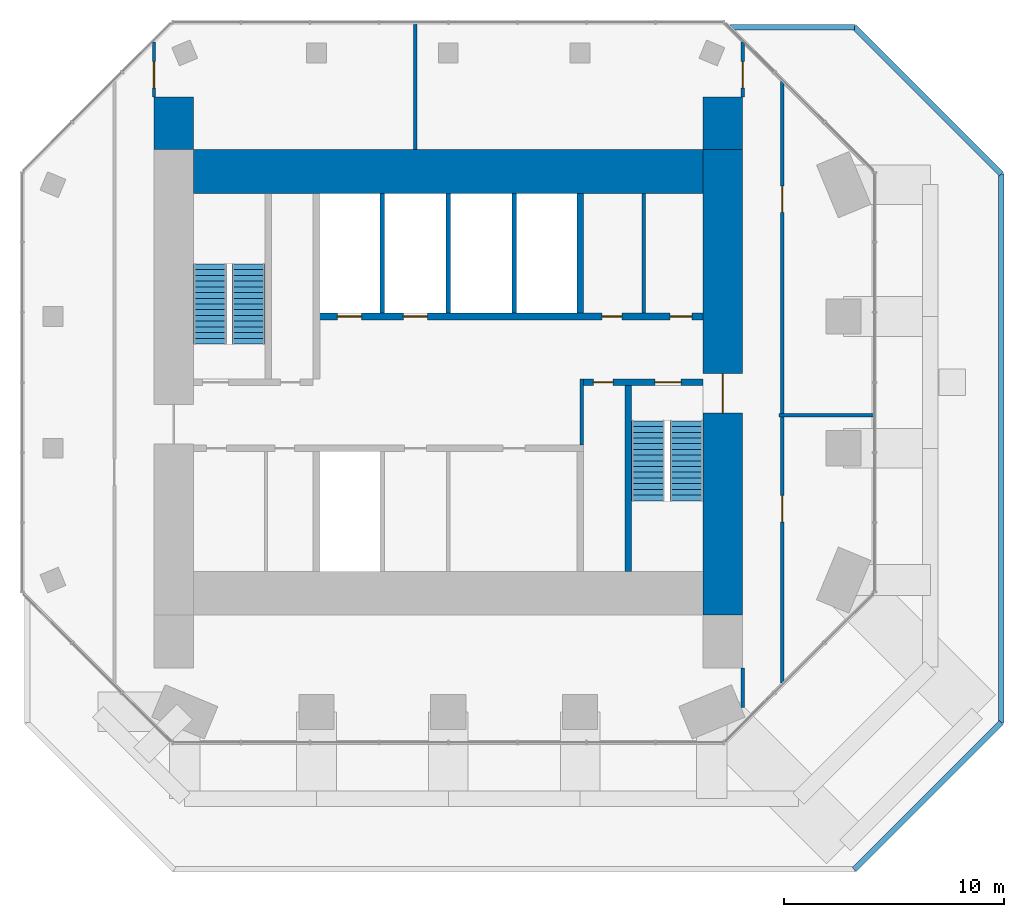
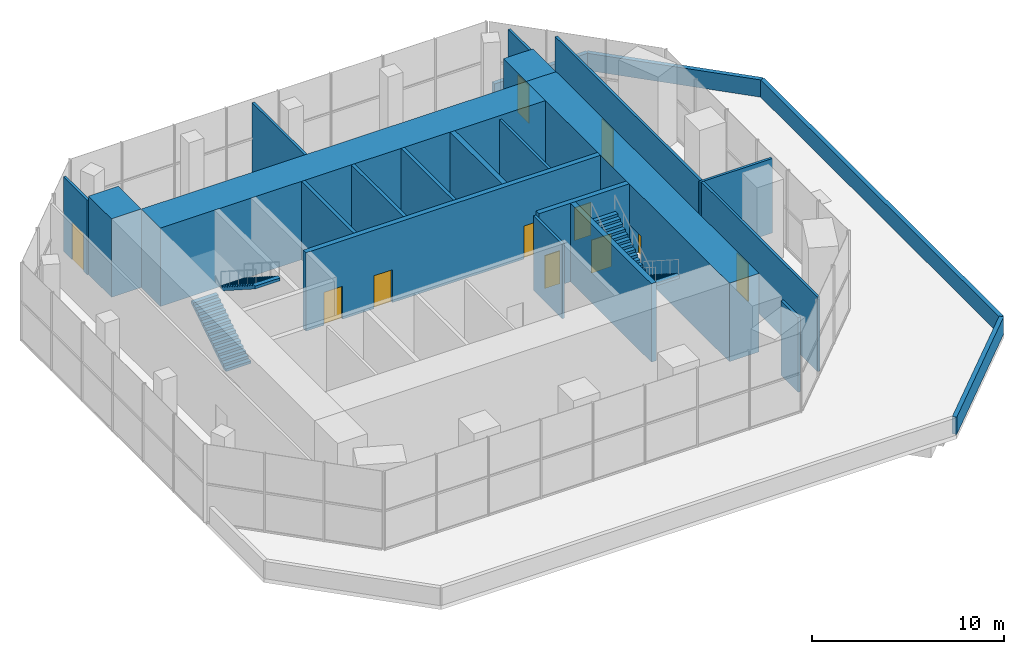
# One storey, part 8 of 9: 24 walls, 11 doors, 4 stair flights, 11 openings, 2 elements without a shape of their own.
"""IFC4 building model written with IfcOpenShell, lengths in metres."""

from ifc_helpers import new_model, si_unit, direction, frame, frame_2d, origin, place, context, subcontext, project, spatial, polyline, rectangle, outline, extrude, material, layer, layer_set, type_object, element, fill, aggregate, save


model = new_model("IFC4")

# Units and contexts
model_context = context("Model", 3, precision=1e-05, world=origin(), true_north=direction((0.0, 1.0)))
body_context = subcontext(model_context, "Body", "Model", "MODEL_VIEW")
ifc_project = project(units=[si_unit("LENGTHUNIT", "METRE"), si_unit("AREAUNIT", "SQUARE_METRE"), si_unit("VOLUMEUNIT", "CUBIC_METRE"), si_unit("PLANEANGLEUNIT", "RADIAN"), si_unit("MASSUNIT", "GRAM", prefix="KILO")], contexts=[model_context])

# Site, building, storey
site_placement = place(None, origin())
site = spatial("IfcSite", under=ifc_project, at=site_placement, CompositionType="ELEMENT")
building_placement = place(site_placement, origin())
building = spatial("IfcBuilding", under=site, at=building_placement, Name="Highveld Stack Headquarters", CompositionType="ELEMENT")
storey_placement = place(building_placement, frame((0.0, 0.0, 295.699951171875)))
storey = spatial("IfcBuildingStorey", under=building, at=storey_placement, Name="L73", CompositionType="ELEMENT", Elevation=295.699951171875)

# Wall, opening, door
ifc_material_1 = material(Name="Concrete C60/75", Category="concrete")
ifc_layer_1 = layer(ifc_material_1, 1.800048828125)
ifc_layer_set_1 = layer_set([ifc_layer_1], Name="Concrete C60/75")
wall_type_1 = type_object("IfcWallType", Name="CORE WALL 1800 C60/75", PredefinedType="SHEAR", material=ifc_layer_set_1)
wall_1_placement = place(storey_placement, frame((18.5, -7.60009765625, 0.0), z_axis=(0.0, 0.0, 1.0), x_axis=(0.0, 1.0, 0.0)))
wall_1 = element("IfcWall", 1, at=wall_1_placement, inside=storey, type_object=wall_type_1, Name="Core wall E L73", PredefinedType="SHEAR", context=body_context, shape_type="SweptSolid", body=[
    extrude(rectangle(XDim=21.2001953125, YDim=1.800048828125, at=frame_2d((10.60009765625, 0.0))), origin(), (0.0, 0.0, 1.0), 5.0),
])
opening_1_placement = place(wall_1_placement, frame((9.199951171875, 0.0, 0.0)))
opening_1 = element("IfcOpeningElement", 2, at=opening_1_placement, cuts=wall_1, Name="Opening L73-02", PredefinedType="OPENING", context=body_context, shape_type="SweptSolid", body=[
    extrude(rectangle(XDim=1.800048828125, YDim=2.39990234375, at=frame_2d((0.89990234375, 1.199951171875))), frame((0.0, 0.909912109375, 0.0), z_axis=(0.0, -1.0, 0.0), x_axis=(1.0, 0.0, 0.0)), (0.0, 0.0, 1.0), 1.820068359375),
])
ifc_material_2 = material(Name="Steel fire door", Category="steel")
door_type_1 = type_object("IfcDoorType", Name="LOBBY FIRE DOOR D4 1800x2400", OperationType="DOUBLE_DOOR_SINGLE_SWING", PredefinedType="DOOR", material=ifc_material_2)
door_1_placement = place(opening_1_placement, origin())
door_1 = element("IfcDoor", 3, at=door_1_placement, inside=storey, type_object=door_type_1, Name="Core east door L73", OperationType="DOUBLE_DOOR_SINGLE_SWING", OverallHeight=2.39990234375, OverallWidth=1.800048828125, PredefinedType="DOOR", context=body_context, shape_type="SweptSolid", body=[
    extrude(rectangle(XDim=1.800048828125, YDim=2.39990234375, at=frame_2d((0.89990234375, 1.199951171875))), frame((0.0, 0.02490234375, 0.0), z_axis=(0.0, -1.0, 0.0), x_axis=(1.0, 0.0, 0.0)), (0.0, 0.0, 1.0), 0.050048828125),
])
fill(opening_1, door_1)

# Wall
ifc_material_3 = material(Name="Concrete C60/75", Category="concrete")
ifc_layer_2 = layer(ifc_material_3, 2.0)
ifc_layer_set_2 = layer_set([ifc_layer_2], Name="Concrete C60/75")
wall_type_2 = type_object("IfcWallType", Name="CORE WALL 2000 C60/75", PredefinedType="SHEAR", material=ifc_layer_set_2)
wall_2_placement = place(storey_placement, frame((-5.60009765625, 12.60009765625, 0.0), z_axis=(0.0, 0.0, 1.0), x_axis=(1.0, 0.0, 0.0)))
element("IfcWall", 4, at=wall_2_placement, inside=storey, type_object=wall_type_2, Name="Core wall N L73", PredefinedType="SHEAR", context=body_context, shape_type="SweptSolid", body=[
    extrude(rectangle(XDim=23.2001953125, YDim=2.0, at=frame_2d((11.60009765625, 0.0))), origin(), (0.0, 0.0, 1.0), 5.0),
])

# Wall, openings, doors
ifc_material_4 = material(Name="Concrete C60/75", Category="concrete")
ifc_layer_3 = layer(ifc_material_4, 0.300048828125)
ifc_layer_set_3 = layer_set([ifc_layer_3], Name="Concrete C60/75")
wall_type_3 = type_object("IfcWallType", Name="CORE WALL 300 C60/75", PredefinedType="SHEAR", material=ifc_layer_set_3)
wall_3_placement = place(storey_placement, frame((12.14990234375, 3.0, 0.0), z_axis=(0.0, 0.0, 1.0), x_axis=(1.0, 0.0, 0.0)))
wall_3 = element("IfcWall", 5, at=wall_3_placement, inside=storey, type_object=wall_type_3, Name="Core wall I-Y3E L73", PredefinedType="SHEAR", context=body_context, shape_type="SweptSolid", body=[
    extrude(rectangle(XDim=5.4501953125, YDim=0.300048828125, at=frame_2d((2.72509765625, 0.0))), origin(), (0.0, 0.0, 1.0), 5.0),
])
opening_2_placement = place(wall_3_placement, frame((3.25, 0.0, 0.0)))
opening_2 = element("IfcOpeningElement", 6, at=opening_2_placement, cuts=wall_3, Name="Opening L73-05", PredefinedType="OPENING", context=body_context, shape_type="SweptSolid", body=[
    extrude(rectangle(XDim=1.199951171875, YDim=2.10009765625, at=frame_2d((0.60009765625, 1.050048828125))), frame((0.0, 0.159912109375, 0.0), z_axis=(0.0, -1.0, 0.0), x_axis=(1.0, 0.0, 0.0)), (0.0, 0.0, 1.0), 0.320068359375),
])
opening_3_placement = place(wall_3_placement, frame((0.449951171875, 0.0, 0.0)))
opening_3 = element("IfcOpeningElement", 7, at=opening_3_placement, cuts=wall_3, Name="Opening L73-06", PredefinedType="OPENING", context=body_context, shape_type="SweptSolid", body=[
    extrude(rectangle(XDim=0.89990234375, YDim=2.10009765625, at=frame_2d((0.449951171875, 1.050048828125))), frame((0.0, 0.159912109375, 0.0), z_axis=(0.0, -1.0, 0.0), x_axis=(1.0, 0.0, 0.0)), (0.0, 0.0, 1.0), 0.320068359375),
])
ifc_material_5 = material(Name="Steel fire door", Category="steel")
door_type_2 = type_object("IfcDoorType", Name="RISER ACCESS DOOR D5 900x2100", OperationType="SINGLE_SWING_LEFT", PredefinedType="DOOR", material=ifc_material_5)
door_2_placement = place(opening_3_placement, origin())
door_2 = element("IfcDoor", 8, at=door_2_placement, inside=storey, type_object=door_type_2, Name="Riser R2 door L73", OperationType="SINGLE_SWING_LEFT", OverallHeight=2.10009765625, OverallWidth=0.89990234375, PredefinedType="DOOR", context=body_context, shape_type="SweptSolid", body=[
    extrude(rectangle(XDim=0.89990234375, YDim=2.10009765625, at=frame_2d((0.449951171875, 1.050048828125))), frame((0.0, 0.02490234375, 0.0), z_axis=(0.0, -1.0, 0.0), x_axis=(1.0, 0.0, 0.0)), (0.0, 0.0, 1.0), 0.050048828125),
])
fill(opening_3, door_2)
ifc_material_6 = material(Name="Steel fire door", Category="steel")
door_type_3 = type_object("IfcDoorType", Name="STAIR FIRE DOOR D3 1200x2100", OperationType="SINGLE_SWING_LEFT", PredefinedType="DOOR", material=ifc_material_6)
door_3_placement = place(opening_2_placement, origin())
door_3 = element("IfcDoor", 9, at=door_3_placement, inside=storey, type_object=door_type_3, Name="Stair S2 door L73", OperationType="SINGLE_SWING_RIGHT", OverallHeight=2.10009765625, OverallWidth=1.199951171875, PredefinedType="DOOR", context=body_context, shape_type="SweptSolid", body=[
    extrude(rectangle(XDim=1.199951171875, YDim=2.10009765625, at=frame_2d((0.60009765625, 1.050048828125))), frame((0.0, 0.02490234375, 0.0), z_axis=(0.0, -1.0, 0.0), x_axis=(1.0, 0.0, 0.0)), (0.0, 0.0, 1.0), 0.050048828125),
])
fill(opening_2, door_3)

wall_4_placement = place(storey_placement, frame((-0.14990234375, 6.0, 0.0), z_axis=(0.0, 0.0, 1.0), x_axis=(1.0, 0.0, 0.0)))
wall_4 = element("IfcWall", 10, at=wall_4_placement, inside=storey, type_object=wall_type_3, Name="Core wall I-Y6 L73", PredefinedType="SHEAR", context=body_context, shape_type="SweptSolid", body=[
    extrude(rectangle(XDim=17.75, YDim=0.300048828125, at=frame_2d((8.875, 0.0))), origin(), (0.0, 0.0, 1.0), 5.0),
])
opening_4_placement = place(wall_4_placement, frame((13.14990234375, 0.0, 0.0)))
opening_4 = element("IfcOpeningElement", 11, at=opening_4_placement, cuts=wall_4, Name="Opening L73-09", PredefinedType="OPENING", context=body_context, shape_type="SweptSolid", body=[
    extrude(rectangle(XDim=0.89990234375, YDim=2.10009765625, at=frame_2d((0.449951171875, 1.050048828125))), frame((0.0, 0.159912109375, 0.0), z_axis=(0.0, -1.0, 0.0), x_axis=(1.0, 0.0, 0.0)), (0.0, 0.0, 1.0), 0.320068359375),
])
opening_5_placement = place(wall_4_placement, frame((16.25, 0.0, 0.0)))
opening_5 = element("IfcOpeningElement", 12, at=opening_5_placement, cuts=wall_4, Name="Opening L73-10", PredefinedType="OPENING", context=body_context, shape_type="SweptSolid", body=[
    extrude(rectangle(XDim=1.0, YDim=2.10009765625, at=frame_2d((0.5, 1.050048828125))), frame((0.0, 0.159912109375, 0.0), z_axis=(0.0, -1.0, 0.0), x_axis=(1.0, 0.0, 0.0)), (0.0, 0.0, 1.0), 0.320068359375),
])
opening_6_placement = place(wall_4_placement, frame((1.10009765625, 0.0, 0.0)))
opening_6 = element("IfcOpeningElement", 13, at=opening_6_placement, cuts=wall_4, Name="Opening LD", PredefinedType="OPENING", context=body_context, shape_type="SweptSolid", body=[
    extrude(rectangle(XDim=1.10009765625, YDim=2.10009765625, at=frame_2d((0.550048828125, 1.050048828125))), frame((0.0, 0.159912109375, 0.0), z_axis=(0.0, -1.0, 0.0), x_axis=(1.0, 0.0, 0.0)), (0.0, 0.0, 1.0), 0.320068359375),
])
opening_7_placement = place(wall_4_placement, frame((4.10009765625, 0.0, 0.0)))
opening_7 = element("IfcOpeningElement", 14, at=opening_7_placement, cuts=wall_4, Name="Opening LD", PredefinedType="OPENING", context=body_context, shape_type="SweptSolid", body=[
    extrude(rectangle(XDim=1.10009765625, YDim=2.10009765625, at=frame_2d((0.550048828125, 1.050048828125))), frame((0.0, 0.159912109375, 0.0), z_axis=(0.0, -1.0, 0.0), x_axis=(1.0, 0.0, 0.0)), (0.0, 0.0, 1.0), 0.320068359375),
])
ifc_material_7 = material(Name="Timber door, painted", Category="wood")
door_type_4 = type_object("IfcDoorType", Name="ACCESSIBLE WC DOOR D2 1000x2100", OperationType="SINGLE_SWING_RIGHT", PredefinedType="DOOR", material=ifc_material_7)
door_4_placement = place(opening_5_placement, origin())
door_4 = element("IfcDoor", 15, at=door_4_placement, inside=storey, type_object=door_type_4, Name="Accessible WC door L73", OperationType="SINGLE_SWING_RIGHT", OverallHeight=2.10009765625, OverallWidth=1.0, PredefinedType="DOOR", context=body_context, shape_type="SweptSolid", body=[
    extrude(rectangle(XDim=1.0, YDim=2.10009765625, at=frame_2d((0.5, 1.050048828125))), frame((0.0, 0.02490234375, 0.0), z_axis=(0.0, -1.0, 0.0), x_axis=(1.0, 0.0, 0.0)), (0.0, 0.0, 1.0), 0.050048828125),
])
fill(opening_5, door_4)
ifc_material_8 = material(Name="Stainless steel lift landing door", Category="steel")
door_type_5 = type_object("IfcDoorType", Name="LIFT LANDING DOOR LD 1100x2100", OperationType="DOUBLE_DOOR_SLIDING", PredefinedType="USERDEFINED", material=ifc_material_8)
door_5_placement = place(opening_6_placement, origin())
door_5 = element("IfcDoor", 16, at=door_5_placement, inside=storey, type_object=door_type_5, Name="Lift landing door FF1 L73", ObjectType="LIFT LANDING DOOR", OperationType="DOUBLE_DOOR_SLIDING", OverallHeight=2.10009765625, OverallWidth=1.10009765625, PredefinedType="USERDEFINED", context=body_context, shape_type="SweptSolid", body=[
    extrude(rectangle(XDim=1.10009765625, YDim=2.10009765625, at=frame_2d((0.550048828125, 1.050048828125))), frame((0.0, 0.02490234375, 0.0), z_axis=(0.0, -1.0, 0.0), x_axis=(1.0, 0.0, 0.0)), (0.0, 0.0, 1.0), 0.050048828125),
])
fill(opening_6, door_5)
door_6_placement = place(opening_7_placement, origin())
door_6 = element("IfcDoor", 17, at=door_6_placement, inside=storey, type_object=door_type_5, Name="Lift landing door FF2 L73", ObjectType="LIFT LANDING DOOR", OperationType="DOUBLE_DOOR_SLIDING", OverallHeight=2.10009765625, OverallWidth=1.10009765625, PredefinedType="USERDEFINED", context=body_context, shape_type="SweptSolid", body=[
    extrude(rectangle(XDim=1.10009765625, YDim=2.10009765625, at=frame_2d((0.550048828125, 1.050048828125))), frame((0.0, 0.02490234375, 0.0), z_axis=(0.0, -1.0, 0.0), x_axis=(1.0, 0.0, 0.0)), (0.0, 0.0, 1.0), 0.050048828125),
])
fill(opening_7, door_6)
ifc_material_9 = material(Name="Timber door, painted", Category="wood")
door_type_6 = type_object("IfcDoorType", Name="WC DOOR D1 900x2100", OperationType="SINGLE_SWING_LEFT", PredefinedType="DOOR", material=ifc_material_9)
door_7_placement = place(opening_4_placement, origin())
door_7 = element("IfcDoor", 18, at=door_7_placement, inside=storey, type_object=door_type_6, Name="Male WC door L73", OperationType="SINGLE_SWING_RIGHT", OverallHeight=2.10009765625, OverallWidth=0.89990234375, PredefinedType="DOOR", context=body_context, shape_type="SweptSolid", body=[
    extrude(rectangle(XDim=0.89990234375, YDim=2.10009765625, at=frame_2d((0.449951171875, 1.050048828125))), frame((0.0, 0.02490234375, 0.0), z_axis=(0.0, -1.0, 0.0), x_axis=(1.0, 0.0, 0.0)), (0.0, 0.0, 1.0), 0.050048828125),
])
fill(opening_4, door_7)

# Walls
wall_5_placement = place(storey_placement, frame((12.0, 6.14990234375, 0.0), z_axis=(0.0, 0.0, 1.0), x_axis=(0.0, 1.0, 0.0)))
element("IfcWall", 19, at=wall_5_placement, inside=storey, type_object=wall_type_3, Name="Core wall I-X12N L73", PredefinedType="SHEAR", context=body_context, shape_type="SweptSolid", body=[
    extrude(rectangle(XDim=5.4501953125, YDim=0.300048828125, at=frame_2d((2.72509765625, 0.0))), origin(), (0.0, 0.0, 1.0), 5.0),
])
wall_6_placement = place(storey_placement, frame((14.199951171875, -5.60009765625, 0.0), z_axis=(0.0, 0.0, 1.0), x_axis=(0.0, 1.0, 0.0)))
element("IfcWall", 20, at=wall_6_placement, inside=storey, type_object=wall_type_3, Name="Core wall I-RE L73", PredefinedType="SHEAR", context=body_context, shape_type="SweptSolid", body=[
    extrude(rectangle(XDim=8.4501953125, YDim=0.300048828125, at=frame_2d((4.22509765625, 0.0))), origin(), (0.0, 0.0, 1.0), 5.0),
])
ifc_material_10 = material(Name="Concrete C60/75", Category="concrete")
ifc_layer_4 = layer(ifc_material_10, 1.800048828125)
ifc_layer_set_4 = layer_set([ifc_layer_4], Name="Concrete C60/75")
wall_type_4 = type_object("IfcWallType", Name="CORE WING WALL 1800 C60/75", PredefinedType="SHEAR", material=ifc_layer_set_4)
for number, where, z_axis, x_axis, name in (
    (21, (-6.5, 13.60009765625, 0.0), (0.0, 0.0, 1.0), (0.0, 1.0, 0.0), "Core wing wall WN L73"),
    (22, (18.5, 13.60009765625, 0.0), (0.0, 0.0, 1.0), (0.0, 1.0, 0.0), "Core wing wall EN L73"),
):
    element("IfcWall", number, at=place(storey_placement, frame(where, z_axis=z_axis, x_axis=x_axis)), inside=storey, type_object=wall_type_4, Name=name, PredefinedType="SHEAR", context=body_context, shape_type="SweptSolid", body=[
        extrude(rectangle(XDim=2.39990234375, YDim=1.800048828125, at=frame_2d((1.199951171875, 0.0))), origin(), (0.0, 0.0, 1.0), 5.0),
    ])

# Wall, opening, door
ifc_material_11 = material(Name="Concrete blockwork, plastered", Category="masonry")
ifc_layer_5 = layer(ifc_material_11, 0.14990234375)
ifc_layer_set_5 = layer_set([ifc_layer_5], Name="Concrete blockwork, plastered")
wall_type_5 = type_object("IfcWallType", Name="FIRE PARTITION 150 BLOCKWORK", PredefinedType="PARTITIONING", material=ifc_layer_set_5)
wall_7_placement = place(storey_placement, frame((-7.39990234375, 16.0, 0.0), z_axis=(0.0, 0.0, 1.0), x_axis=(0.0, 1.0, 0.0)))
wall_7 = element("IfcWall", 23, at=wall_7_placement, inside=storey, type_object=wall_type_5, Name="Partition office neighbourhood L73", PredefinedType="PARTITIONING", context=body_context, shape_type="SweptSolid", body=[
    extrude(rectangle(XDim=2.489013671875, YDim=0.14990234375, at=frame_2d((1.24462890625, 0.0))), origin(), (0.0, 0.0, 1.0), 4.75),
])
opening_8_placement = place(wall_7_placement, frame((0.39990234375, 0.0, 0.0)))
opening_8 = element("IfcOpeningElement", 24, at=opening_8_placement, cuts=wall_7, Name="Opening L73-17", PredefinedType="OPENING", context=body_context, shape_type="SweptSolid", body=[
    extrude(rectangle(XDim=1.199951171875, YDim=2.39990234375, at=frame_2d((0.60009765625, 1.199951171875))), frame((0.0, 0.0849609375, 0.0), z_axis=(0.0, -1.0, 0.0), x_axis=(1.0, 0.0, 0.0)), (0.0, 0.0, 1.0), 0.169921875),
])
ifc_material_12 = material(Name="Steel fire door", Category="steel")
door_type_7 = type_object("IfcDoorType", Name="PLANT FIRE DOOR D7 1200x2400", OperationType="SINGLE_SWING_LEFT", PredefinedType="DOOR", material=ifc_material_12)
door_8_placement = place(opening_8_placement, origin())
door_8 = element("IfcDoor", 25, at=door_8_placement, inside=storey, type_object=door_type_7, Name="Plant room door L73", OperationType="SINGLE_SWING_LEFT", OverallHeight=2.39990234375, OverallWidth=1.199951171875, PredefinedType="DOOR", context=body_context, shape_type="SweptSolid", body=[
    extrude(rectangle(XDim=1.199951171875, YDim=2.39990234375, at=frame_2d((0.60009765625, 1.199951171875))), frame((0.0, 0.02490234375, 0.0), z_axis=(0.0, -1.0, 0.0), x_axis=(1.0, 0.0, 0.0)), (0.0, 0.0, 1.0), 0.050048828125),
])
fill(opening_8, door_8)

# Walls
wall_8_placement = place(storey_placement, frame((4.5, 13.60009765625, 0.0), z_axis=(0.0, 0.0, 1.0), x_axis=(0.0, 1.0, 0.0)))
element("IfcWall", 26, at=wall_8_placement, inside=storey, type_object=wall_type_5, Name="Partition office neighbourhood L73", PredefinedType="PARTITIONING", context=body_context, shape_type="SweptSolid", body=[
    extrude(rectangle(XDim=5.7998046875, YDim=0.14990234375, at=frame_2d((2.89990234375, 0.0))), origin(), (0.0, 0.0, 1.0), 4.75),
])
wall_9_placement = place(storey_placement, frame((19.39990234375, -11.8017578125, 0.0), z_axis=(0.0, 0.0, 1.0), x_axis=(0.0, 1.0, 0.0)))
element("IfcWall", 27, at=wall_9_placement, inside=storey, type_object=wall_type_5, Name="Partition office neighbourhood L73", PredefinedType="PARTITIONING", context=body_context, shape_type="SweptSolid", body=[
    extrude(rectangle(XDim=1.8017578125, YDim=0.14990234375, at=frame_2d((0.90087890625, 0.0))), origin(), (0.0, 0.0, 1.0), 4.75),
])

# Wall, opening, door
wall_10_placement = place(storey_placement, frame((19.39990234375, 16.0, 0.0), z_axis=(0.0, 0.0, 1.0), x_axis=(0.0, 1.0, 0.0)))
wall_10 = element("IfcWall", 28, at=wall_10_placement, inside=storey, type_object=wall_type_5, Name="Partition office neighbourhood L73", PredefinedType="PARTITIONING", context=body_context, shape_type="SweptSolid", body=[
    extrude(rectangle(XDim=2.489013671875, YDim=0.14990234375, at=frame_2d((1.24462890625, 0.0))), origin(), (0.0, 0.0, 1.0), 4.75),
])
opening_9_placement = place(wall_10_placement, frame((0.39990234375, 0.0, 0.0)))
opening_9 = element("IfcOpeningElement", 29, at=opening_9_placement, cuts=wall_10, Name="Opening L73-16", PredefinedType="OPENING", context=body_context, shape_type="SweptSolid", body=[
    extrude(rectangle(XDim=1.199951171875, YDim=2.39990234375, at=frame_2d((0.60009765625, 1.199951171875))), frame((0.0, 0.0849609375, 0.0), z_axis=(0.0, -1.0, 0.0), x_axis=(1.0, 0.0, 0.0)), (0.0, 0.0, 1.0), 0.169921875),
])
door_9_placement = place(opening_9_placement, origin())
door_9 = element("IfcDoor", 30, at=door_9_placement, inside=storey, type_object=door_type_7, Name="Plant room door L73", OperationType="SINGLE_SWING_LEFT", OverallHeight=2.39990234375, OverallWidth=1.199951171875, PredefinedType="DOOR", context=body_context, shape_type="SweptSolid", body=[
    extrude(rectangle(XDim=1.199951171875, YDim=2.39990234375, at=frame_2d((0.60009765625, 1.199951171875))), frame((0.0, 0.02490234375, 0.0), z_axis=(0.0, -1.0, 0.0), x_axis=(1.0, 0.0, 0.0)), (0.0, 0.0, 1.0), 0.050048828125),
])
fill(opening_9, door_9)

wall_11_placement = place(storey_placement, frame((21.199951171875, -10.68896484375, 0.0), z_axis=(0.0, 0.0, 1.0), x_axis=(0.0, 1.0, 0.0)))
wall_11 = element("IfcWall", 31, at=wall_11_placement, inside=storey, type_object=wall_type_5, Name="Partition office neighbourhood L73", PredefinedType="PARTITIONING", context=body_context, shape_type="SweptSolid", body=[
    extrude(rectangle(XDim=12.114013671875, YDim=0.14990234375, at=frame_2d((6.05712890625, 0.0))), origin(), (0.0, 0.0, 1.0), 4.75),
])
opening_10_placement = place(wall_11_placement, frame((7.340087890625, 0.0, 0.0)))
opening_10 = element("IfcOpeningElement", 32, at=opening_10_placement, cuts=wall_11, Name="Opening L73-13", PredefinedType="OPENING", context=body_context, shape_type="SweptSolid", body=[
    extrude(rectangle(XDim=1.199951171875, YDim=2.39990234375, at=frame_2d((0.60009765625, 1.199951171875))), frame((0.0, 0.0849609375, 0.0), z_axis=(0.0, -1.0, 0.0), x_axis=(1.0, 0.0, 0.0)), (0.0, 0.0, 1.0), 0.169921875),
])
door_10_placement = place(opening_10_placement, origin())
door_10 = element("IfcDoor", 33, at=door_10_placement, inside=storey, type_object=door_type_7, Name="Plant room door L73", OperationType="SINGLE_SWING_RIGHT", OverallHeight=2.39990234375, OverallWidth=1.199951171875, PredefinedType="DOOR", context=body_context, shape_type="SweptSolid", body=[
    extrude(rectangle(XDim=1.199951171875, YDim=2.39990234375, at=frame_2d((0.60009765625, 1.199951171875))), frame((0.0, 0.02490234375, 0.0), z_axis=(0.0, -1.0, 0.0), x_axis=(1.0, 0.0, 0.0)), (0.0, 0.0, 1.0), 0.050048828125),
])
fill(opening_10, door_10)

wall_12_placement = place(storey_placement, frame((21.199951171875, 1.574951171875, 0.0), z_axis=(0.0, 0.0, 1.0), x_axis=(0.0, 1.0, 0.0)))
wall_12 = element("IfcWall", 34, at=wall_12_placement, inside=storey, type_object=wall_type_5, Name="Partition office neighbourhood L73", PredefinedType="PARTITIONING", context=body_context, shape_type="SweptSolid", body=[
    extrude(rectangle(XDim=15.114013671875, YDim=0.14990234375, at=frame_2d((7.55712890625, 0.0))), origin(), (0.0, 0.0, 1.0), 4.75),
])
opening_11_placement = place(wall_12_placement, frame((9.1650390625, 0.0, 0.0)))
opening_11 = element("IfcOpeningElement", 35, at=opening_11_placement, cuts=wall_12, Name="Opening L73-15", PredefinedType="OPENING", context=body_context, shape_type="SweptSolid", body=[
    extrude(rectangle(XDim=1.199951171875, YDim=2.39990234375, at=frame_2d((0.60009765625, 1.199951171875))), frame((0.0, 0.0849609375, 0.0), z_axis=(0.0, -1.0, 0.0), x_axis=(1.0, 0.0, 0.0)), (0.0, 0.0, 1.0), 0.169921875),
])
door_11_placement = place(opening_11_placement, origin())
door_11 = element("IfcDoor", 36, at=door_11_placement, inside=storey, type_object=door_type_7, Name="Plant room door L73", OperationType="SINGLE_SWING_RIGHT", OverallHeight=2.39990234375, OverallWidth=1.199951171875, PredefinedType="DOOR", context=body_context, shape_type="SweptSolid", body=[
    extrude(rectangle(XDim=1.199951171875, YDim=2.39990234375, at=frame_2d((0.60009765625, 1.199951171875))), frame((0.0, 0.02490234375, 0.0), z_axis=(0.0, -1.0, 0.0), x_axis=(1.0, 0.0, 0.0)), (0.0, 0.0, 1.0), 0.050048828125),
])
fill(opening_11, door_11)

# Walls
wall_13_placement = place(storey_placement, frame((21.050048828125, 1.5, 0.0), z_axis=(0.0, 0.0, 1.0), x_axis=(1.0, 0.0, 0.0)))
element("IfcWall", 37, at=wall_13_placement, inside=storey, type_object=wall_type_5, Name="Partition office neighbourhood L73", PredefinedType="PARTITIONING", context=body_context, shape_type="SweptSolid", body=[
    extrude(rectangle(XDim=4.349853515625, YDim=0.14990234375, at=frame_2d((2.1748046875, 0.0))), origin(), (0.0, 0.0, 1.0), 4.75),
])
wall_14_placement = place(storey_placement, frame((12.074951171875, 0.14990234375, 0.0), z_axis=(0.0, 0.0, 1.0), x_axis=(0.0, 1.0, 0.0)))
element("IfcWall", 38, at=wall_14_placement, inside=storey, type_object=wall_type_5, Name="Riser R2 enclosure L73", PredefinedType="PARTITIONING", context=body_context, shape_type="SweptSolid", body=[
    extrude(rectangle(XDim=3.0, YDim=0.14990234375, at=frame_2d((1.5, 0.0))), origin(), (0.0, 0.0, 1.0), 4.75),
])
ifc_material_13 = material(Name="Concrete blockwork, fair-faced", Category="masonry")
ifc_layer_6 = layer(ifc_material_13, 0.199951171875)
ifc_layer_set_6 = layer_set([ifc_layer_6], Name="Concrete blockwork, fair-faced")
wall_type_6 = type_object("IfcWallType", Name="LIFT SHAFT ENCLOSURE WALL 200 BLOCKWORK", PredefinedType="SOLIDWALL", material=ifc_layer_set_6)
for number, where, z_axis, x_axis, name in (
    (39, (3.0, 6.14990234375, 0.0), (0.0, 0.0, 1.0), (0.0, 1.0, 0.0), "Lift shaft wall L73"),
    (40, (6.0, 6.14990234375, 0.0), (0.0, 0.0, 1.0), (0.0, 1.0, 0.0), "Lift shaft wall L73"),
    (41, (9.0, 6.14990234375, 0.0), (0.0, 0.0, 1.0), (0.0, 1.0, 0.0), "Lift shaft wall L73"),
):
    element("IfcWall", number, at=place(storey_placement, frame(where, z_axis=z_axis, x_axis=x_axis)), inside=storey, type_object=wall_type_6, Name=name, PredefinedType="SOLIDWALL", context=body_context, shape_type="SweptSolid", body=[
        extrude(rectangle(XDim=5.4501953125, YDim=0.199951171875, at=frame_2d((2.72509765625, 0.0))), origin(), (0.0, 0.0, 1.0), 5.0),
    ])
ifc_material_14 = material(Name="Concrete C40/50, precast parapet", Category="concrete")
ifc_layer_7 = layer(ifc_material_14, 0.25)
ifc_layer_set_7 = layer_set([ifc_layer_7], Name="Concrete C40/50, precast parapet")
wall_type_7 = type_object("IfcWallType", Name="PARAPET WALL PP1 250", PredefinedType="PARAPET", material=ifc_layer_set_7)
wall_15_placement = place(storey_placement, frame((24.48681640625, 19.175048828125, 0.0), z_axis=(0.0, 0.0, 1.0), x_axis=(0.707106781187, -0.707106781187, 0.0)))
element("IfcWall", 42, at=wall_15_placement, inside=storey, type_object=wall_type_7, Name="Roof parapet L73 1", PredefinedType="PARAPET", context=body_context, shape_type="SweptSolid", body=[
    extrude(rectangle(XDim=9.45849609375, YDim=0.25, at=frame_2d((4.729248046875, 0.0))), origin(), (0.0, 0.0, 1.0), 1.10009765625),
])
wall_16_placement = place(storey_placement, frame((31.175048828125, 12.48681640625, 0.0), z_axis=(0.0, 0.0, 1.0), x_axis=(0.0, -1.0, 0.0)))
element("IfcWall", 43, at=wall_16_placement, inside=storey, type_object=wall_type_7, Name="Roof parapet L73 2", PredefinedType="PARAPET", context=body_context, shape_type="SweptSolid", body=[
    extrude(rectangle(XDim=24.9736328125, YDim=0.25, at=frame_2d((12.48681640625, 0.0))), origin(), (0.0, 0.0, 1.0), 1.10009765625),
])
wall_17_placement = place(storey_placement, frame((31.175048828125, -12.48681640625, 0.0), z_axis=(0.0, 0.0, 1.0), x_axis=(-0.707106781187, -0.707106781187, 0.0)))
element("IfcWall", 44, at=wall_17_placement, inside=storey, type_object=wall_type_7, Name="Roof parapet L73 3", PredefinedType="PARAPET", context=body_context, shape_type="SweptSolid", body=[
    extrude(rectangle(XDim=9.45849609375, YDim=0.25, at=frame_2d((4.729248046875, 0.0))), origin(), (0.0, 0.0, 1.0), 1.10009765625),
])
wall_18_placement = place(storey_placement, frame((18.84033203125, 19.175048828125, 0.0), z_axis=(0.0, 0.0, 1.0), x_axis=(1.0, 0.0, 0.0)))
element("IfcWall", 45, at=wall_18_placement, inside=storey, type_object=wall_type_7, Name="Roof parapet L73 7", PredefinedType="PARAPET", context=body_context, shape_type="SweptSolid", body=[
    extrude(rectangle(XDim=5.646484375, YDim=0.25, at=frame_2d((2.8232421875, 0.0))), origin(), (0.0, 0.0, 1.0), 1.10009765625),
])
ifc_material_15 = material(Name="Concrete blockwork, tiled", Category="masonry")
ifc_layer_8 = layer(ifc_material_15, 0.14990234375)
ifc_layer_set_8 = layer_set([ifc_layer_8], Name="Concrete blockwork, tiled")
wall_type_8 = type_object("IfcWallType", Name="WC PARTITION 150", PredefinedType="PLUMBINGWALL", material=ifc_layer_set_8)
wall_19_placement = place(storey_placement, frame((14.89990234375, 6.14990234375, 0.0), z_axis=(0.0, 0.0, 1.0), x_axis=(0.0, 1.0, 0.0)))
element("IfcWall", 46, at=wall_19_placement, inside=storey, type_object=wall_type_8, Name="Toilet partition L73", PredefinedType="PLUMBINGWALL", context=body_context, shape_type="SweptSolid", body=[
    extrude(rectangle(XDim=5.4501953125, YDim=0.14990234375, at=frame_2d((2.72509765625, 0.0))), origin(), (0.0, 0.0, 1.0), 4.75),
])

# Stair, stair flights
ifc_material_16 = material(Name="Concrete C40/50, precast", Category="concrete")
stair_type_1 = type_object("IfcStairType", Name="STAIR S1 HALF TURN 1500", PredefinedType="HALF_TURN_STAIR", material=ifc_material_16)
stair_1_placement = place(storey_placement, origin())
stair_1 = element("IfcStair", 47, at=stair_1_placement, inside=storey, type_object=stair_type_1, Name="Stair S1 L73", PredefinedType="HALF_TURN_STAIR")
ifc_material_17 = material(Name="Concrete C40/50, precast", Category="concrete")
stair_flight_type = type_object("IfcStairFlightType", Name="STAIR FLIGHT 1500 PRECAST", PredefinedType="STRAIGHT", material=ifc_material_17)
stair_flight_1_placement = place(storey_placement, frame((-4.85009765625, 4.75, 0.0), z_axis=(0.0, 0.0, 1.0), x_axis=(0.0, 1.0, 0.0)))
stair_flight_1 = element("IfcStairFlight", 48, at=stair_flight_1_placement, type_object=stair_flight_type, Name="S1 flight 1", NumberOfRisers=15, NumberOfTreads=14, PredefinedType="STRAIGHT", RiserHeight=0.166666667, TreadLength=0.26, context=body_context, shape_type="SweptSolid", body=[
    extrude(outline(polyline([(0.0, 0.0), (0.0, 0.166748046875), (0.260009765625, 0.166748046875), (0.260009765625, 0.333251953125), (0.52001953125, 0.333251953125), (0.52001953125, 0.5), (0.780029296875, 0.5), (0.780029296875, 0.666748046875), (1.0400390625, 0.666748046875), (1.0400390625, 0.833251953125), (1.300048828125, 0.833251953125), (1.300048828125, 1.0), (1.56005859375, 1.0), (1.56005859375, 1.166748046875), (1.820068359375, 1.166748046875), (1.820068359375, 1.333251953125), (2.080078125, 1.333251953125), (2.080078125, 1.5), (2.340087890625, 1.5), (2.340087890625, 1.666748046875), (2.60009765625, 1.666748046875), (2.60009765625, 1.833251953125), (2.860107421875, 1.833251953125), (2.860107421875, 2.0), (3.1201171875, 2.0), (3.1201171875, 2.166748046875), (3.3798828125, 2.166748046875), (3.3798828125, 2.333251953125), (3.639892578125, 2.333251953125), (3.639892578125, 2.5), (3.639892578125, 2.1552734375), (0.27783203125, 0.0), (0.0, 0.0)])), frame((0.0, 0.75, 0.0), z_axis=(0.0, -1.0, 0.0), x_axis=(1.0, 0.0, 0.0)), (0.0, 0.0, 1.0), 1.5),
])
stair_flight_2_placement = place(storey_placement, frame((-3.10009765625, 8.389892578125, 2.5), z_axis=(0.0, 0.0, 1.0), x_axis=(0.0, -1.0, 0.0)))
stair_flight_2 = element("IfcStairFlight", 49, at=stair_flight_2_placement, type_object=stair_flight_type, Name="S1 flight 2", NumberOfRisers=15, NumberOfTreads=14, PredefinedType="STRAIGHT", RiserHeight=0.166666667, TreadLength=0.26, context=body_context, shape_type="SweptSolid", body=[
    extrude(outline(polyline([(0.0, 0.0), (0.0, 0.166748046875), (0.260009765625, 0.166748046875), (0.260009765625, 0.333251953125), (0.52001953125, 0.333251953125), (0.52001953125, 0.5), (0.780029296875, 0.5), (0.780029296875, 0.666748046875), (1.0400390625, 0.666748046875), (1.0400390625, 0.833251953125), (1.300048828125, 0.833251953125), (1.300048828125, 1.0), (1.56005859375, 1.0), (1.56005859375, 1.166748046875), (1.820068359375, 1.166748046875), (1.820068359375, 1.333251953125), (2.080078125, 1.333251953125), (2.080078125, 1.5), (2.340087890625, 1.5), (2.340087890625, 1.666748046875), (2.60009765625, 1.666748046875), (2.60009765625, 1.833251953125), (2.860107421875, 1.833251953125), (2.860107421875, 2.0), (3.1201171875, 2.0), (3.1201171875, 2.166748046875), (3.3798828125, 2.166748046875), (3.3798828125, 2.333251953125), (3.639892578125, 2.333251953125), (3.639892578125, 2.5), (3.639892578125, 2.1552734375), (0.27783203125, 0.0), (0.0, 0.0)])), frame((0.0, 0.75, 0.0), z_axis=(0.0, -1.0, 0.0), x_axis=(1.0, 0.0, 0.0)), (0.0, 0.0, 1.0), 1.5),
])
aggregate(stair_1, [stair_flight_1, stair_flight_2])

ifc_material_18 = material(Name="Concrete C40/50, precast", Category="concrete")
stair_type_2 = type_object("IfcStairType", Name="STAIR S2 HALF TURN 1500", PredefinedType="HALF_TURN_STAIR", material=ifc_material_18)
stair_2_placement = place(storey_placement, origin())
stair_2 = element("IfcStair", 50, at=stair_2_placement, inside=storey, type_object=stair_type_2, Name="Stair S2 L73", PredefinedType="HALF_TURN_STAIR")
stair_flight_3_placement = place(storey_placement, frame((16.85009765625, 1.25, 0.0), z_axis=(0.0, 0.0, 1.0), x_axis=(0.0, -1.0, 0.0)))
stair_flight_3 = element("IfcStairFlight", 51, at=stair_flight_3_placement, type_object=stair_flight_type, Name="S2 flight 1", NumberOfRisers=15, NumberOfTreads=14, PredefinedType="STRAIGHT", RiserHeight=0.166666667, TreadLength=0.26, context=body_context, shape_type="SweptSolid", body=[
    extrude(outline(polyline([(0.0, 0.0), (0.0, 0.166748046875), (0.260009765625, 0.166748046875), (0.260009765625, 0.333251953125), (0.52001953125, 0.333251953125), (0.52001953125, 0.5), (0.780029296875, 0.5), (0.780029296875, 0.666748046875), (1.0400390625, 0.666748046875), (1.0400390625, 0.833251953125), (1.300048828125, 0.833251953125), (1.300048828125, 1.0), (1.56005859375, 1.0), (1.56005859375, 1.166748046875), (1.820068359375, 1.166748046875), (1.820068359375, 1.333251953125), (2.080078125, 1.333251953125), (2.080078125, 1.5), (2.340087890625, 1.5), (2.340087890625, 1.666748046875), (2.60009765625, 1.666748046875), (2.60009765625, 1.833251953125), (2.860107421875, 1.833251953125), (2.860107421875, 2.0), (3.1201171875, 2.0), (3.1201171875, 2.166748046875), (3.3798828125, 2.166748046875), (3.3798828125, 2.333251953125), (3.639892578125, 2.333251953125), (3.639892578125, 2.5), (3.639892578125, 2.1552734375), (0.27783203125, 0.0), (0.0, 0.0)])), frame((0.0, 0.75, 0.0), z_axis=(0.0, -1.0, 0.0), x_axis=(1.0, 0.0, 0.0)), (0.0, 0.0, 1.0), 1.5),
])
stair_flight_4_placement = place(storey_placement, frame((15.10009765625, -2.389892578125, 2.5), z_axis=(0.0, 0.0, 1.0), x_axis=(0.0, 1.0, 0.0)))
stair_flight_4 = element("IfcStairFlight", 52, at=stair_flight_4_placement, type_object=stair_flight_type, Name="S2 flight 2", NumberOfRisers=15, NumberOfTreads=14, PredefinedType="STRAIGHT", RiserHeight=0.166666667, TreadLength=0.26, context=body_context, shape_type="SweptSolid", body=[
    extrude(outline(polyline([(0.0, 0.0), (0.0, 0.166748046875), (0.260009765625, 0.166748046875), (0.260009765625, 0.333251953125), (0.52001953125, 0.333251953125), (0.52001953125, 0.5), (0.780029296875, 0.5), (0.780029296875, 0.666748046875), (1.0400390625, 0.666748046875), (1.0400390625, 0.833251953125), (1.300048828125, 0.833251953125), (1.300048828125, 1.0), (1.56005859375, 1.0), (1.56005859375, 1.166748046875), (1.820068359375, 1.166748046875), (1.820068359375, 1.333251953125), (2.080078125, 1.333251953125), (2.080078125, 1.5), (2.340087890625, 1.5), (2.340087890625, 1.666748046875), (2.60009765625, 1.666748046875), (2.60009765625, 1.833251953125), (2.860107421875, 1.833251953125), (2.860107421875, 2.0), (3.1201171875, 2.0), (3.1201171875, 2.166748046875), (3.3798828125, 2.166748046875), (3.3798828125, 2.333251953125), (3.639892578125, 2.333251953125), (3.639892578125, 2.5), (3.639892578125, 2.1552734375), (0.27783203125, 0.0), (0.0, 0.0)])), frame((0.0, 0.75, 0.0), z_axis=(0.0, -1.0, 0.0), x_axis=(1.0, 0.0, 0.0)), (0.0, 0.0, 1.0), 1.5),
])
aggregate(stair_2, [stair_flight_3, stair_flight_4])

save(model, "model.ifc")
